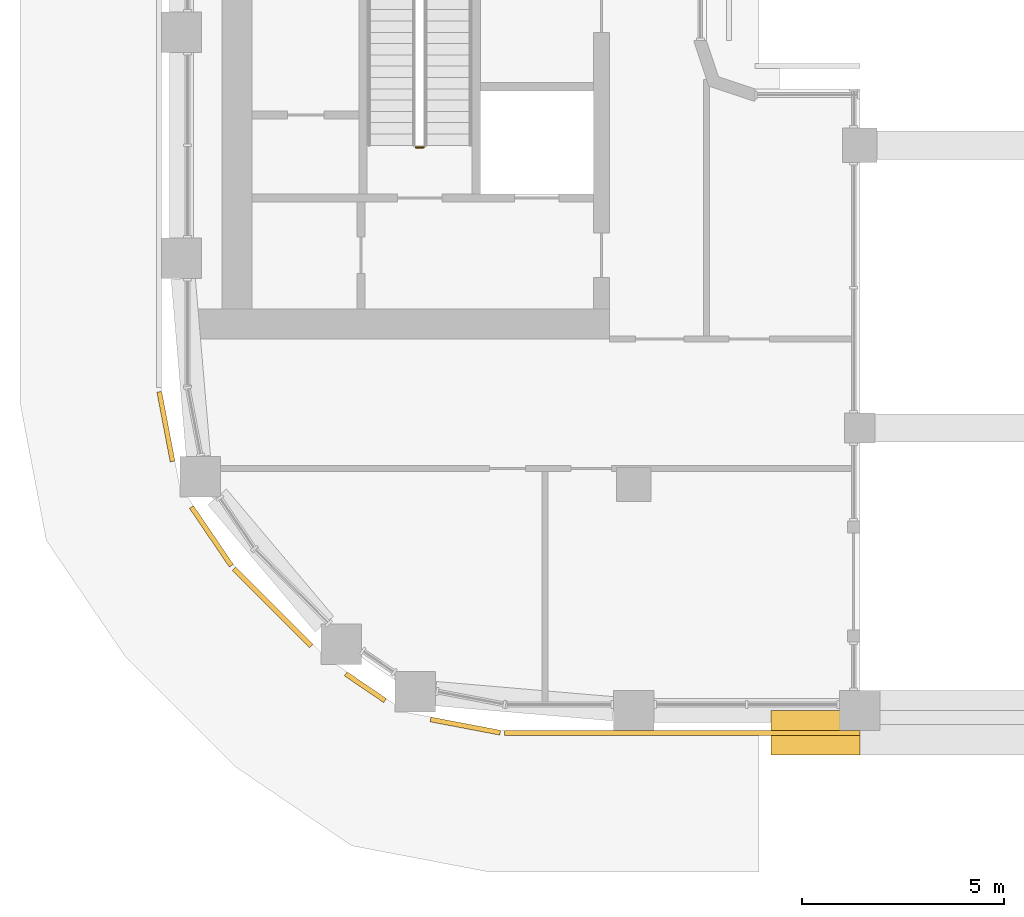
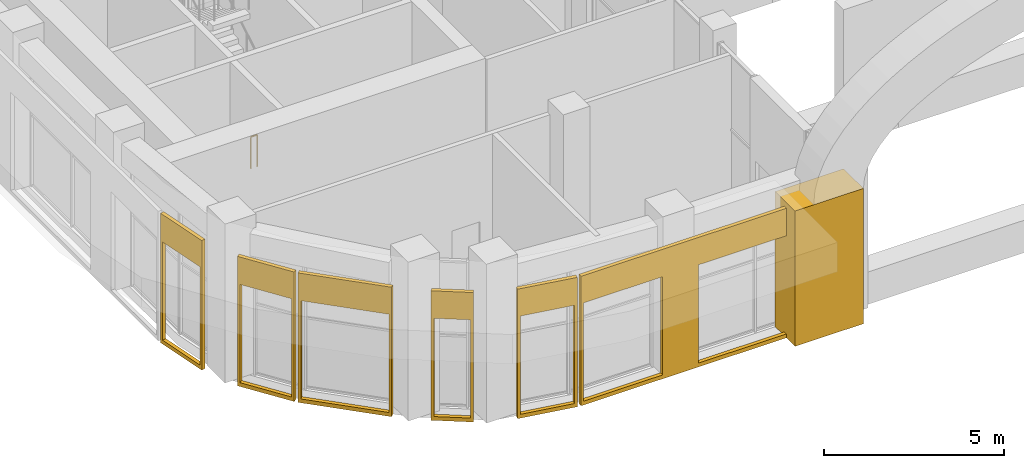
# One storey, part 20 of 28: 7 coverings, 1 railing.
"""IFC4 building model written with IfcOpenShell, lengths in metres."""

from ifc_helpers import new_model, si_unit, direction, frame, origin, origin_2d, place, context, subcontext, project, spatial, polyline, rectangle, circle, outline, extrude, material, layer, layer_set, type_object, element, save


model = new_model("IFC4")

# Units and contexts
model_context = context("Model", 3, precision=1e-05, world=origin(), true_north=direction((0.0, 1.0)))
body_context = subcontext(model_context, "Body", "Model", "MODEL_VIEW")
ifc_project = project(units=[si_unit("LENGTHUNIT", "METRE"), si_unit("AREAUNIT", "SQUARE_METRE"), si_unit("VOLUMEUNIT", "CUBIC_METRE"), si_unit("PLANEANGLEUNIT", "RADIAN"), si_unit("MASSUNIT", "GRAM", prefix="KILO")], contexts=[model_context])

# Site, building, storey
site_placement = place(None, origin())
site = spatial("IfcSite", under=ifc_project, at=site_placement, CompositionType="ELEMENT")
building_placement = place(site_placement, origin())
building = spatial("IfcBuilding", under=site, at=building_placement, Name="Kiln Ring Residences", CompositionType="ELEMENT")
storey_placement = place(building_placement, frame((0.0, 0.0, 178.10009765625)))
storey = spatial("IfcBuildingStorey", under=building, at=storey_placement, Name="L46", CompositionType="ELEMENT", Elevation=178.10009765625)

# Railing
ifc_material_1 = material(Name="Stainless steel", Category="steel")
railing_type = type_object("IfcRailingType", Name="CORE-STAIR-GUARD", PredefinedType="GUARDRAIL", material=ifc_material_1)
railing_placement = place(storey_placement, frame((-22.0, -8.449951171875, 0.0)))
element("IfcRailing", 1, at=railing_placement, inside=storey, type_object=railing_type, Name="L46 W-STS stair guard 4", PredefinedType="GUARDRAIL", context=body_context, shape_type="SweptSolid", body=[
    extrude(circle(Radius=0.02392578125, at=origin_2d()), frame((0.0, 0.0, 1.076171875), z_axis=(-1.0, 0.0, 0.0), x_axis=(0.0, -1.0, 0.0)), (0.0, 0.0, 1.0), 0.199951171875),
    extrude(circle(Radius=0.02099609375, at=origin_2d()), origin(), (0.0, 0.0, 1.0), 1.052001953125),
    extrude(circle(Radius=0.02099609375, at=origin_2d()), frame((-0.199951171875, 0.0, 0.0)), (0.0, 0.0, 1.0), 1.052001953125),
])

# Coverings
ifc_material_2 = material(Name="Concrete C35/45, exposed aggregate finish", Category="concrete")
covering_type_1 = type_object("IfcCoveringType", Name="PORTAL JAMB 1400 x 700", PredefinedType="CLADDING", material=ifc_material_2)
covering_1_placement = place(storey_placement, frame((-12.300048828125, -22.949951171875, -0.000244140625), z_axis=(0.0, 0.0, 1.0), x_axis=(1.0, 0.0, 0.0)))
element("IfcCovering", 2, at=covering_1_placement, inside=storey, type_object=covering_type_1, Name="PORTAL JAMB L46", PredefinedType="CLADDING", context=body_context, shape_type="SweptSolid", body=[
    extrude(rectangle(XDim=2.199951171875, YDim=1.10009765625, at=origin_2d()), origin(), (0.0, 0.0, 1.0), 4.60009765625),
])
ifc_material_3 = material(Name="Brick masonry, dark clay brick", Category="masonry")
ifc_layer = layer(ifc_material_3, 0.1201171875)
ifc_layer_set = layer_set([ifc_layer], Name="RAINSCREEN PANEL 120")
covering_type_2 = type_object("IfcCoveringType", Name="RAINSCREEN PANEL 120", PredefinedType="CLADDING", material=ifc_layer_set)
for number, where, z_axis, x_axis, name in (
    (3, (-28.550048828125, -14.5048828125, 0.0), (0.0, 0.0, 1.0), (0.187393173565, -0.982284988433, 0.0), "RAINSCREEN L46"),
    (4, (-27.753173828125, -17.359375, 0.0), (0.0, 0.0, 1.0), (0.562089443061, -0.82707645233, 0.0), "RAINSCREEN L46"),
):
    element("IfcCovering", number, at=place(storey_placement, frame(where, z_axis=z_axis, x_axis=x_axis)), inside=storey, type_object=covering_type_2, Name=name, PredefinedType="CLADDING", context=body_context, shape_type="SweptSolid", body=[
        extrude(outline(polyline([(0.0, 0.0), (1.756103515625, 0.0), (1.756103515625, 4.39990234375), (0.0, 4.39990234375), (0.0, 0.0)]), holes=[polyline([(0.080078125, 3.469970703125), (0.080078125, 0.1298828125), (1.676025390625, 0.1298828125), (1.676025390625, 3.469970703125), (0.080078125, 3.469970703125)])]), frame((0.0, 0.06005859375, 0.0), z_axis=(0.0, -1.0, 0.0), x_axis=(1.0, 0.0, 0.0)), (0.0, 0.0, 1.0), 0.1201171875),
    ])
covering_2_placement = place(storey_placement, frame((-26.698974609375, -18.89306640625, 0.0), z_axis=(0.0, 0.0, 1.0), x_axis=(0.707106781187, -0.707106781187, 0.0)))
element("IfcCovering", 5, at=covering_2_placement, inside=storey, type_object=covering_type_2, Name="RAINSCREEN L46", PredefinedType="CLADDING", context=body_context, shape_type="SweptSolid", body=[
    extrude(outline(polyline([(0.0, 0.0), (2.699951171875, 0.0), (2.699951171875, 4.39990234375), (0.0, 4.39990234375), (0.0, 0.0)]), holes=[polyline([(0.080078125, 3.469970703125), (0.080078125, 0.1298828125), (2.6201171875, 0.1298828125), (2.6201171875, 3.469970703125), (0.080078125, 3.469970703125)])]), frame((0.0, 0.06005859375, 0.0), z_axis=(0.0, -1.0, 0.0), x_axis=(1.0, 0.0, 0.0)), (0.0, 0.0, 1.0), 0.1201171875),
])
covering_3_placement = place(storey_placement, frame((-23.932861328125, -21.491455078125, 0.0), z_axis=(0.0, 0.0, 1.0), x_axis=(0.827038372833, -0.562145470373, 0.0)))
element("IfcCovering", 6, at=covering_3_placement, inside=storey, type_object=covering_type_2, Name="RAINSCREEN L46", PredefinedType="CLADDING", context=body_context, shape_type="SweptSolid", body=[
    extrude(outline(polyline([(0.0, 0.0), (1.177001953125, 0.0), (1.177001953125, 4.39990234375), (0.0, 4.39990234375), (0.0, 0.0)]), holes=[polyline([(0.080078125, 3.469970703125), (0.080078125, 0.1298828125), (1.09716796875, 0.1298828125), (1.09716796875, 3.469970703125), (0.080078125, 3.469970703125)])]), frame((0.0, 0.06005859375, 0.0), z_axis=(0.0, -1.0, 0.0), x_axis=(1.0, 0.0, 0.0)), (0.0, 0.0, 1.0), 0.1201171875),
])
covering_4_placement = place(storey_placement, frame((-21.829833984375, -22.62109375, 0.0), z_axis=(0.0, 0.0, 1.0), x_axis=(0.98228010573, -0.187418766104, 0.0)))
element("IfcCovering", 7, at=covering_4_placement, inside=storey, type_object=covering_type_2, Name="RAINSCREEN L46", PredefinedType="CLADDING", context=body_context, shape_type="SweptSolid", body=[
    extrude(outline(polyline([(0.0, 0.0), (1.756103515625, 0.0), (1.756103515625, 4.39990234375), (0.0, 4.39990234375), (0.0, 0.0)]), holes=[polyline([(0.080078125, 3.469970703125), (0.080078125, 0.1298828125), (1.676025390625, 0.1298828125), (1.676025390625, 3.469970703125), (0.080078125, 3.469970703125)])]), frame((0.0, 0.06005859375, 0.0), z_axis=(0.0, -1.0, 0.0), x_axis=(1.0, 0.0, 0.0)), (0.0, 0.0, 1.0), 0.1201171875),
])
covering_5_placement = place(storey_placement, frame((-20.0, -22.9599609375, 0.0), z_axis=(0.0, 0.0, 1.0), x_axis=(1.0, 0.0, 0.0)))
element("IfcCovering", 8, at=covering_5_placement, inside=storey, type_object=covering_type_2, Name="RAINSCREEN L46", PredefinedType="CLADDING", context=body_context, shape_type="SweptSolid", body=[
    extrude(outline(polyline([(0.0, 0.0), (8.800048828125, 0.0), (8.800048828125, 4.39990234375), (0.0, 4.39990234375), (0.0, 0.0)]), holes=[polyline([(2.6201171875, 3.469970703125), (0.080078125, 3.469970703125), (0.080078125, 0.1298828125), (2.6201171875, 0.1298828125), (2.6201171875, 3.469970703125)]), polyline([(8.219970703125, 3.469970703125), (3.780029296875, 3.469970703125), (3.780029296875, 0.1298828125), (8.219970703125, 0.1298828125), (8.219970703125, 3.469970703125)])]), frame((0.0, 0.06005859375, 0.0), z_axis=(0.0, -1.0, 0.0), x_axis=(1.0, 0.0, 0.0)), (0.0, 0.0, 1.0), 0.1201171875),
])

save(model, "model.ifc")
